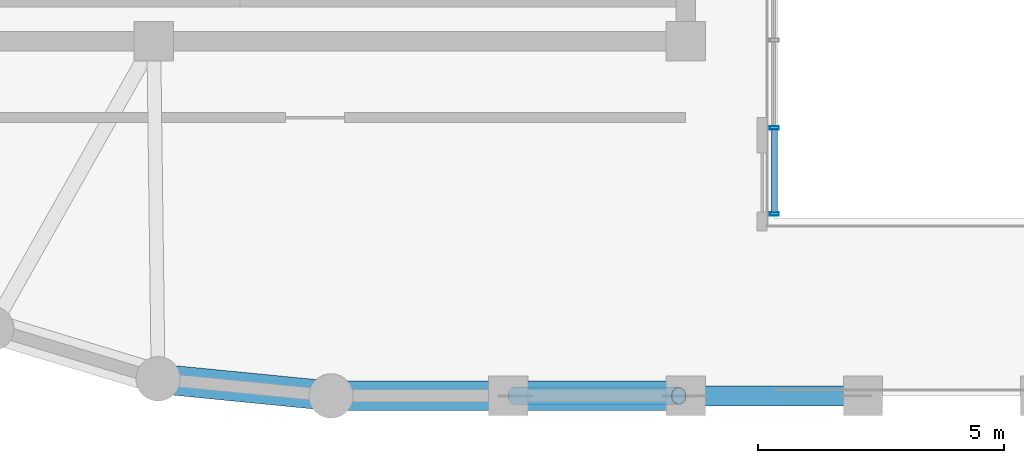
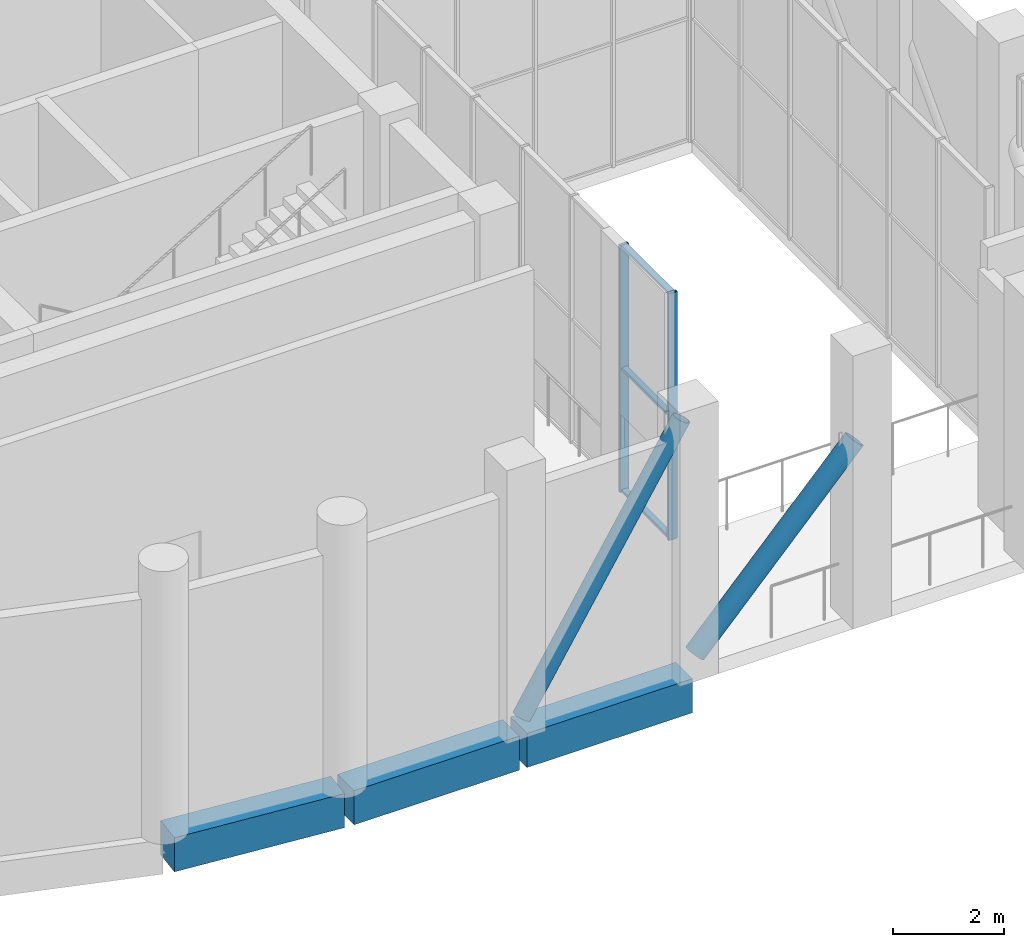
# One storey, part 4 of 17: 7 members, 3 beams, 1 element without a shape of its own.
"""IFC4 building model written with IfcOpenShell, lengths in metres."""

from ifc_helpers import new_model, si_unit, direction, frame, origin, origin_2d, place, context, subcontext, project, spatial, rectangle, hollow_rectangle, hollow_circle, extrude, material, layer, layer_set, material_profile, profile_set, type_object, element, aggregate, save


model = new_model("IFC4")

# Units and contexts
model_context = context("Model", 3, precision=1e-05, world=origin(), true_north=direction((0.0, 1.0)))
body_context = subcontext(model_context, "Body", "Model", "MODEL_VIEW")
ifc_project = project(units=[si_unit("LENGTHUNIT", "METRE"), si_unit("AREAUNIT", "SQUARE_METRE"), si_unit("VOLUMEUNIT", "CUBIC_METRE"), si_unit("PLANEANGLEUNIT", "RADIAN"), si_unit("MASSUNIT", "GRAM", prefix="KILO")], contexts=[model_context])

# Site, building, storey
site_placement = place(None, origin())
site = spatial("IfcSite", under=ifc_project, at=site_placement, CompositionType="ELEMENT")
building_placement = place(site_placement, origin())
building = spatial("IfcBuilding", under=site, at=building_placement, Name="Solnavia Interchange Tower", CompositionType="ELEMENT")
storey_placement = place(building_placement, frame((0.0, 0.0, 249.800048828125)))
storey = spatial("IfcBuildingStorey", under=building, at=storey_placement, Name="L63", CompositionType="ELEMENT", Elevation=249.800048828125)

# Beams
ifc_material_1 = material(Name="Concrete C50/60", Category="concrete")
ifc_material_profile_1 = material_profile(ifc_material_1, rectangle(XDim=0.60009765625, YDim=0.75, at=origin_2d()), Name="RC 600x750")
ifc_profile_set_1 = profile_set([ifc_material_profile_1], Name="Concrete C50/60")
beam_type = type_object("IfcBeamType", Name="Beam-Spandrel-RC600x750", PredefinedType="SPANDREL", material=ifc_profile_set_1)
beam_1_placement = place(storey_placement, frame((21.767578125, 3.938232421875, -0.375), z_axis=(0.995181774609, -0.098047108501, 0.0), x_axis=(0.098047108501, 0.995181774609, 0.0)))
element("IfcBeam", 1, at=beam_1_placement, inside=storey, type_object=beam_type, Name="SPB-L63-08 Framed-tube perimeter spandrel beam", PredefinedType="SPANDREL", context=body_context, shape_type="SweptSolid", body=[
    extrude(rectangle(XDim=0.60009765625, YDim=0.75, at=origin_2d()), origin(), (0.0, 0.0, 1.0), 3.368896484375),
])
beam_2_placement = place(storey_placement, frame((25.280029296875, 3.60009765625, -0.375), z_axis=(1.0, 0.0, 0.0), x_axis=(0.0, 1.0, 0.0)))
element("IfcBeam", 2, at=beam_2_placement, inside=storey, type_object=beam_type, Name="SPB-L63-09 Framed-tube perimeter spandrel beam", PredefinedType="SPANDREL", context=body_context, shape_type="SweptSolid", body=[
    extrude(rectangle(XDim=0.60009765625, YDim=0.75, at=origin_2d()), origin(), (0.0, 0.0, 1.0), 3.43994140625),
])
beam_3_placement = place(storey_placement, frame((28.8798828125, 3.60009765625, -0.375), z_axis=(1.0, 0.0, 0.0), x_axis=(0.0, 1.0, 0.0)))
element("IfcBeam", 3, at=beam_3_placement, inside=storey, type_object=beam_type, Name="SPB-L63-10 Framed-tube perimeter spandrel beam", PredefinedType="SPANDREL", context=body_context, shape_type="SweptSolid", body=[
    extrude(rectangle(XDim=0.60009765625, YDim=0.75, at=origin_2d()), origin(), (0.0, 0.0, 1.0), 3.440185546875),
])

# Member
ifc_material_2 = material(Name="Steel S460", Category="steel")
ifc_material_profile_2 = material_profile(ifc_material_2, hollow_circle(Radius=0.177734375, WallThickness=0.01611328125, at=origin_2d()), Name="CHS 355.6x16")
ifc_profile_set_2 = profile_set([ifc_material_profile_2], Name="Steel S460")
member_type_1 = type_object("IfcMemberType", Name="Brace-Perim-CHS355", PredefinedType="BRACE", material=ifc_profile_set_2)
member_1_placement = place(storey_placement, frame((28.93994140625, 3.60009765625, 0.179931640625), z_axis=(0.524448109341, 0.0, 0.851442411798), x_axis=(0.0, 1.0, 0.0)))
element("IfcMember", 4, at=member_1_placement, inside=storey, type_object=member_type_1, Name="BRC-L63-01 Perimeter tube diagonal brace", PredefinedType="BRACE", context=body_context, shape_type="SweptSolid", body=[
    extrude(hollow_circle(Radius=0.177734375, WallThickness=0.01611328125, at=origin_2d()), origin(), (0.0, 0.0, 1.0), 6.33056640625),
])

# Curtain wall, members
ifc_material_3 = material(Name="Aluminium Alloy 6063-T6", Category="aluminium")
ifc_layer = layer(ifc_material_3, 0.199951171875)
ifc_layer_set = layer_set([ifc_layer], Name="Aluminium Alloy 6063-T6")
curtain_wall_type = type_object("IfcCurtainWallType", Name="CurtainWall-Louvre-CTW5", PredefinedType="NOTDEFINED", material=ifc_layer_set)
curtain_wall_placement = place(storey_placement, origin())
curtain_wall = element("IfcCurtainWall", 5, at=curtain_wall_placement, inside=storey, type_object=curtain_wall_type, Name="CTW-L63-WP2 CTW-5 curtain wall", PredefinedType="NOTDEFINED")
ifc_material_profile_3 = material_profile(ifc_material_3, hollow_rectangle(XDim=0.06494140625, YDim=0.179931640625, WallThickness=0.00439453125, at=origin_2d()), Name="ALU 180x65x4.5")
ifc_profile_set_3 = profile_set([ifc_material_profile_3], Name="Aluminium Alloy 6063-T6")
member_type_2 = type_object("IfcMemberType", Name="CW-Mullion-CWM-5", PredefinedType="MULLION", material=ifc_profile_set_3)
member_2_placement = place(storey_placement, frame((34.199951171875, 7.29248046875, 0.0), z_axis=(0.0, 0.0, 1.0), x_axis=(0.0, 1.0, 0.0)))
member_2 = element("IfcMember", 6, at=member_2_placement, type_object=member_type_2, Name="CTW-5 mullion 1", PredefinedType="MULLION", context=body_context, shape_type="SweptSolid", body=[
    extrude(hollow_rectangle(XDim=0.06494140625, YDim=0.179931640625, WallThickness=0.00439453125, at=origin_2d()), origin(), (0.0, 0.0, 1.0), 5.429931640625),
])
member_3_placement = place(storey_placement, frame((34.199951171875, 9.0400390625, 0.0), z_axis=(0.0, 0.0, 1.0), x_axis=(0.0, 1.0, 0.0)))
member_3 = element("IfcMember", 7, at=member_3_placement, type_object=member_type_2, Name="CTW-5 mullion 2", PredefinedType="MULLION", context=body_context, shape_type="SweptSolid", body=[
    extrude(hollow_rectangle(XDim=0.06494140625, YDim=0.179931640625, WallThickness=0.00439453125, at=origin_2d()), origin(), (0.0, 0.0, 1.0), 5.429931640625),
])
ifc_material_profile_4 = material_profile(ifc_material_3, hollow_rectangle(XDim=0.06005859375, YDim=0.1201171875, WallThickness=0.00390625, at=origin_2d()), Name="ALU 120x60x4")
ifc_profile_set_4 = profile_set([ifc_material_profile_4], Name="Aluminium Alloy 6063-T6")
member_type_3 = type_object("IfcMemberType", Name="CW-Transom-CWT-5", PredefinedType="USERDEFINED", material=ifc_profile_set_4)
member_4_placement = place(storey_placement, frame((34.199951171875, 7.324951171875, 0.030029296875), z_axis=(0.0, 1.0, 0.0), x_axis=(0.0, 0.0, 1.0)))
member_4 = element("IfcMember", 8, at=member_4_placement, type_object=member_type_3, Name="CTW-5 transom 1.1", ObjectType="TRANSOM", PredefinedType="USERDEFINED", context=body_context, shape_type="SweptSolid", body=[
    extrude(hollow_rectangle(XDim=0.06005859375, YDim=0.1201171875, WallThickness=0.00390625, at=origin_2d()), origin(), (0.0, 0.0, 1.0), 1.6826171875),
])
member_5_placement = place(storey_placement, frame((34.199951171875, 7.324951171875, 2.71484375), z_axis=(0.0, 1.0, 0.0), x_axis=(0.0, 0.0, 1.0)))
member_5 = element("IfcMember", 9, at=member_5_placement, type_object=member_type_3, Name="CTW-5 transom 1.2", ObjectType="TRANSOM", PredefinedType="USERDEFINED", context=body_context, shape_type="SweptSolid", body=[
    extrude(hollow_rectangle(XDim=0.06005859375, YDim=0.1201171875, WallThickness=0.00390625, at=origin_2d()), origin(), (0.0, 0.0, 1.0), 1.6826171875),
])
member_6_placement = place(storey_placement, frame((34.199951171875, 7.324951171875, 5.39990234375), z_axis=(0.0, 1.0, 0.0), x_axis=(0.0, 0.0, 1.0)))
member_6 = element("IfcMember", 10, at=member_6_placement, type_object=member_type_3, Name="CTW-5 transom 1.3", ObjectType="TRANSOM", PredefinedType="USERDEFINED", context=body_context, shape_type="SweptSolid", body=[
    extrude(hollow_rectangle(XDim=0.06005859375, YDim=0.1201171875, WallThickness=0.00390625, at=origin_2d()), origin(), (0.0, 0.0, 1.0), 1.6826171875),
])
aggregate(curtain_wall, [member_2, member_3, member_4, member_5, member_6])

# Member
ifc_material_profile_5 = material_profile(ifc_material_2, hollow_circle(Radius=0.203125, WallThickness=0.02001953125, at=origin_2d()), Name="CHS 406.4x20")
ifc_profile_set_5 = profile_set([ifc_material_profile_5], Name="Steel S460")
member_type_4 = type_object("IfcMemberType", Name="Outrigger-Diag-CHS406", PredefinedType="BRACE", material=ifc_profile_set_5)
member_7_placement = place(storey_placement, frame((32.5400390625, 3.60009765625, 0.300048828125), z_axis=(0.683078490531, 0.0, 0.73034497039), x_axis=(0.0, 1.0, 0.0)))
element("IfcMember", 11, at=member_7_placement, inside=storey, type_object=member_type_4, Name="OTR-L63-BT01 Belt truss diagonal", PredefinedType="BRACE", context=body_context, shape_type="SweptSolid", body=[
    extrude(hollow_circle(Radius=0.203125, WallThickness=0.02001953125, at=origin_2d()), origin(), (0.0, 0.0, 1.0), 4.8603515625),
])

save(model, "model.ifc")
